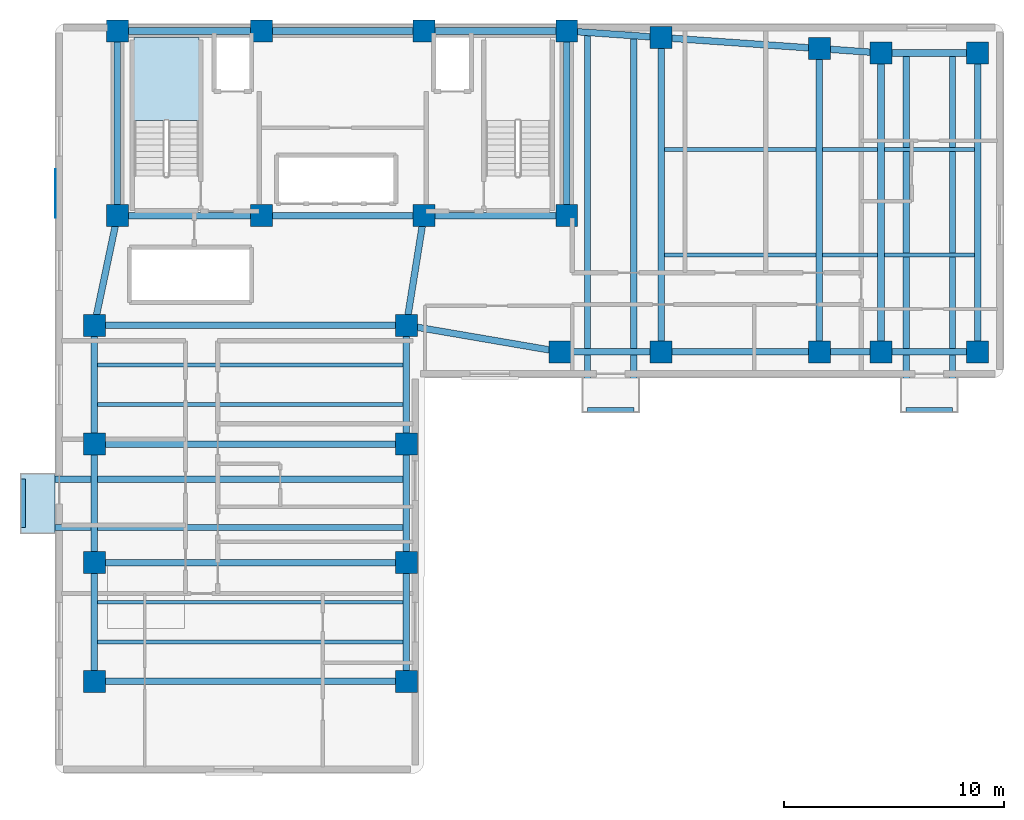
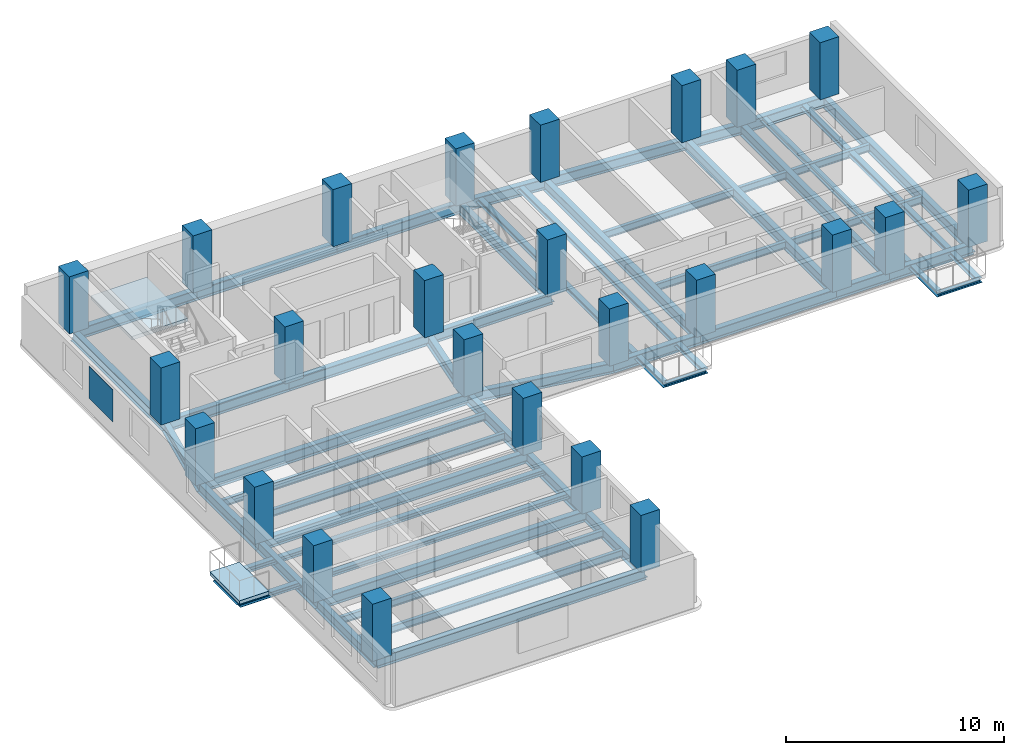
# One storey, part 1 of 7: 52 beams, 25 columns, 2 slabs, 1 plate, 1 element without a shape of its own.
"""IFC4 building model written with IfcOpenShell, lengths in metres."""

from ifc_helpers import new_model, si_unit, direction, frame, origin, origin_2d, place, context, subcontext, project, spatial, polyline, rectangle, i_section, outline, extrude, material, layer, layer_set, material_profile, profile_set, type_object, element, aggregate, save


model = new_model("IFC4")

# Units and contexts
model_context = context("Model", 3, precision=1e-05, world=origin(), true_north=direction((0.0, 1.0)))
body_context = subcontext(model_context, "Body", "Model", "MODEL_VIEW")
ifc_project = project(units=[si_unit("LENGTHUNIT", "METRE"), si_unit("AREAUNIT", "SQUARE_METRE"), si_unit("VOLUMEUNIT", "CUBIC_METRE"), si_unit("PLANEANGLEUNIT", "RADIAN"), si_unit("MASSUNIT", "GRAM", prefix="KILO")], contexts=[model_context])

# Site, building, storey
site_placement = place(None, origin())
site = spatial("IfcSite", under=ifc_project, at=site_placement, CompositionType="ELEMENT")
building_placement = place(site_placement, origin())
building = spatial("IfcBuilding", under=site, at=building_placement, Name="Kuzgunbayir Cultural Tower", CompositionType="ELEMENT")
storey_placement = place(building_placement, frame((0.0, 0.0, 117.0)))
storey = spatial("IfcBuildingStorey", under=building, at=storey_placement, Name="L33", CompositionType="ELEMENT", Elevation=117.0)

# Columns
ifc_material_1 = material(Name="Concrete C50/60", Category="concrete")
ifc_material_profile_1 = material_profile(ifc_material_1, rectangle(XDim=1.0, YDim=1.0, at=origin_2d()), Name="RC 1000x1000")
ifc_profile_set_1 = profile_set([ifc_material_profile_1], Name="Concrete C50/60")
column_type_1 = type_object("IfcColumnType", Name="COL-CORE-1000", PredefinedType="COLUMN", material=ifc_profile_set_1)
for number, where, z_axis, x_axis, name in (
    (1, (6.449951171875, 33.800048828125, 0.0), (0.0, 0.0, 1.0), (1.0, 0.0, 0.0), "L33 T1 Core Boundary Column CC1-1"),
    (2, (13.0, 33.800048828125, 0.0), (0.0, 0.0, 1.0), (1.0, 0.0, 0.0), "L33 T1 Core Boundary Column CC1-2"),
    (3, (20.39990234375, 33.800048828125, 0.0), (0.0, 0.0, 1.0), (1.0, 0.0, 0.0), "L33 T1 Core Boundary Column CC1-3"),
    (4, (26.89990234375, 33.800048828125, 0.0), (0.0, 0.0, 1.0), (1.0, 0.0, 0.0), "L33 T1 Core Boundary Column CC1-4"),
    (5, (6.449951171875, 42.199951171875, 0.0), (0.0, 0.0, 1.0), (1.0, 0.0, 0.0), "L33 T1 Core Boundary Column CC1-5"),
    (6, (13.0, 42.199951171875, 0.0), (0.0, 0.0, 1.0), (1.0, 0.0, 0.0), "L33 T1 Core Boundary Column CC1-6"),
    (7, (20.39990234375, 42.199951171875, 0.0), (0.0, 0.0, 1.0), (1.0, 0.0, 0.0), "L33 T1 Core Boundary Column CC1-7"),
    (8, (26.89990234375, 42.199951171875, 0.0), (0.0, 0.0, 1.0), (1.0, 0.0, 0.0), "L33 T1 Core Boundary Column CC1-8"),
):
    element("IfcColumn", number, at=place(storey_placement, frame(where, z_axis=z_axis, x_axis=x_axis)), inside=storey, type_object=column_type_1, Name=name, PredefinedType="COLUMN", context=body_context, shape_type="SweptSolid", body=[
        extrude(rectangle(XDim=1.0, YDim=1.0, at=origin_2d()), origin(), (0.0, 0.0, 1.0), 3.199951171875),
    ])
ifc_material_profile_2 = material_profile(ifc_material_1, rectangle(XDim=1.0, YDim=1.0, at=origin_2d()), Name="RC 1000x1000")
ifc_profile_set_2 = profile_set([ifc_material_profile_2], Name="Concrete C50/60")
column_type_2 = type_object("IfcColumnType", Name="COL-T1-1000", PredefinedType="COLUMN", material=ifc_profile_set_2)
for number, where, z_axis, x_axis, name in (
    (9, (5.39990234375, 12.60009765625, 0.0), (0.0, 0.0, 1.0), (1.0, 0.0, 0.0), "L33 Tower 1 Wing A Column T1A-W-1"),
    (10, (19.60009765625, 12.60009765625, 0.0), (0.0, 0.0, 1.0), (1.0, 0.0, 0.0), "L33 Tower 1 Wing A Column T1A-E-1"),
    (11, (5.39990234375, 18.0, 0.0), (0.0, 0.0, 1.0), (1.0, 0.0, 0.0), "L33 Tower 1 Wing A Column T1A-W-2"),
    (12, (19.60009765625, 18.0, 0.0), (0.0, 0.0, 1.0), (1.0, 0.0, 0.0), "L33 Tower 1 Wing A Column T1A-E-2"),
    (13, (5.39990234375, 23.39990234375, 0.0), (0.0, 0.0, 1.0), (1.0, 0.0, 0.0), "L33 Tower 1 Wing A Column T1A-W-3"),
    (14, (19.60009765625, 23.39990234375, 0.0), (0.0, 0.0, 1.0), (1.0, 0.0, 0.0), "L33 Tower 1 Wing A Column T1A-E-3"),
    (15, (5.39990234375, 28.800048828125, 0.0), (0.0, 0.0, 1.0), (1.0, 0.0, 0.0), "L33 Tower 1 Wing A Column T1A-W-4"),
    (16, (19.60009765625, 28.800048828125, 0.0), (0.0, 0.0, 1.0), (1.0, 0.0, 0.0), "L33 Tower 1 Wing A Column T1A-E-4"),
    (17, (26.60009765625, 27.60009765625, 0.0), (0.0, 0.0, 1.0), (1.0, 0.0, 0.0), "L33 Tower 1 Wing B Column T1B-1-1"),
    (18, (31.199951171875, 27.60009765625, 0.0), (0.0, 0.0, 1.0), (1.0, 0.0, 0.0), "L33 Tower 1 Wing B Column T1B-2-1"),
    (19, (31.199951171875, 41.89990234375, 0.0), (0.0, 0.0, 1.0), (1.0, 0.0, 0.0), "L33 Tower 1 Wing B Column T1B-2-2"),
    (20, (38.39990234375, 27.60009765625, 0.0), (0.0, 0.0, 1.0), (1.0, 0.0, 0.0), "L33 Tower 1 Wing B Column T1B-3-1"),
    (21, (38.39990234375, 41.39990234375, 0.0), (0.0, 0.0, 1.0), (1.0, 0.0, 0.0), "L33 Tower 1 Wing B Column T1B-3-2"),
    (22, (41.199951171875, 27.60009765625, 0.0), (0.0, 0.0, 1.0), (1.0, 0.0, 0.0), "L33 Tower 1 Wing B Column T1B-4-1"),
    (23, (41.199951171875, 41.199951171875, 0.0), (0.0, 0.0, 1.0), (1.0, 0.0, 0.0), "L33 Tower 1 Wing B Column T1B-4-2"),
    (24, (45.60009765625, 27.60009765625, 0.0), (0.0, 0.0, 1.0), (1.0, 0.0, 0.0), "L33 Tower 1 Wing B Column T1B-5-1"),
    (25, (45.60009765625, 41.199951171875, 0.0), (0.0, 0.0, 1.0), (1.0, 0.0, 0.0), "L33 Tower 1 Wing B Column T1B-5-2"),
):
    element("IfcColumn", number, at=place(storey_placement, frame(where, z_axis=z_axis, x_axis=x_axis)), inside=storey, type_object=column_type_2, Name=name, PredefinedType="COLUMN", context=body_context, shape_type="SweptSolid", body=[
        extrude(rectangle(XDim=1.0, YDim=1.0, at=origin_2d()), origin(), (0.0, 0.0, 1.0), 3.199951171875),
    ])

# Beams
ifc_material_2 = material(Name="Steel S355J2", Category="steel")
ifc_material_profile_3 = material_profile(ifc_material_2, i_section(OverallWidth=0.280029296875, OverallDepth=0.280029296875, WebThickness=0.010498046875, FlangeThickness=0.01806640625, FilletRadius=0.02392578125, at=origin_2d()), Name="HEB 280")
ifc_profile_set_3 = profile_set([ifc_material_profile_3], Name="Steel S355J2")
beam_type_1 = type_object("IfcBeamType", Name="BM-BAL-HEB280", PredefinedType="BEAM", material=ifc_profile_set_3)
for number, where, z_axis, x_axis, name in (
    (26, (2.159912109375, 19.60009765625, -0.340087890625), (1.0, 0.0, 0.0), (0.0, 1.0, 0.0), "L33 Balcony Outrigger Beam BAL-L33-WA2.1"),
    (27, (2.159912109375, 21.800048828125, -0.340087890625), (1.0, 0.0, 0.0), (0.0, 1.0, 0.0), "L33 Balcony Outrigger Beam BAL-L33-WA2.2"),
):
    element("IfcBeam", number, at=place(storey_placement, frame(where, z_axis=z_axis, x_axis=x_axis)), inside=storey, type_object=beam_type_1, Name=name, PredefinedType="BEAM", context=body_context, shape_type="SweptSolid", body=[
        extrude(i_section(OverallWidth=0.280029296875, OverallDepth=0.280029296875, WebThickness=0.010498046875, FlangeThickness=0.01806640625, FilletRadius=0.02392578125, at=origin_2d()), origin(), (0.0, 0.0, 1.0), 17.440185546875),
    ])
beam_1_placement = place(storey_placement, frame((27.85009765625, 24.9599609375, -0.340087890625), z_axis=(0.0, 1.0, 0.0), x_axis=(-1.0, 0.0, 0.0)))
element("IfcBeam", 28, at=beam_1_placement, inside=storey, type_object=beam_type_1, Name="L33 Balcony Outrigger Beam BAL-L33-WB1.1", PredefinedType="BEAM", context=body_context, shape_type="SweptSolid", body=[
    extrude(i_section(OverallWidth=0.280029296875, OverallDepth=0.280029296875, WebThickness=0.010498046875, FlangeThickness=0.01806640625, FilletRadius=0.02392578125, at=origin_2d()), origin(), (0.0, 0.0, 1.0), 17.169921875),
])
beam_2_placement = place(storey_placement, frame((29.949951171875, 24.9599609375, -0.340087890625), z_axis=(0.0, 1.0, 0.0), x_axis=(-1.0, 0.0, 0.0)))
element("IfcBeam", 29, at=beam_2_placement, inside=storey, type_object=beam_type_1, Name="L33 Balcony Outrigger Beam BAL-L33-WB1.2", PredefinedType="BEAM", context=body_context, shape_type="SweptSolid", body=[
    extrude(i_section(OverallWidth=0.280029296875, OverallDepth=0.280029296875, WebThickness=0.010498046875, FlangeThickness=0.01806640625, FilletRadius=0.02392578125, at=origin_2d()), origin(), (0.0, 0.0, 1.0), 17.030029296875),
])
for number, where, z_axis, x_axis, name in (
    (30, (42.35009765625, 24.9599609375, -0.340087890625), (0.0, 1.0, 0.0), (-1.0, 0.0, 0.0), "L33 Balcony Outrigger Beam BAL-L33-WB3.1"),
    (31, (44.449951171875, 24.9599609375, -0.340087890625), (0.0, 1.0, 0.0), (-1.0, 0.0, 0.0), "L33 Balcony Outrigger Beam BAL-L33-WB3.2"),
):
    element("IfcBeam", number, at=place(storey_placement, frame(where, z_axis=z_axis, x_axis=x_axis)), inside=storey, type_object=beam_type_1, Name=name, PredefinedType="BEAM", context=body_context, shape_type="SweptSolid", body=[
        extrude(i_section(OverallWidth=0.280029296875, OverallDepth=0.280029296875, WebThickness=0.010498046875, FlangeThickness=0.01806640625, FilletRadius=0.02392578125, at=origin_2d()), origin(), (0.0, 0.0, 1.0), 16.239990234375),
    ])
ifc_material_profile_4 = material_profile(ifc_material_2, i_section(OverallWidth=0.199951171875, OverallDepth=0.199951171875, WebThickness=0.009033203125, FlangeThickness=0.014892578125, FilletRadius=0.01806640625, at=origin_2d()), Name="HEB 200")
ifc_profile_set_4 = profile_set([ifc_material_profile_4], Name="Steel S355J2")
beam_type_2 = type_object("IfcBeamType", Name="BM-CAN-HEB200", PredefinedType="BEAM", material=ifc_profile_set_4)
beam_3_placement = place(storey_placement, frame((2.159912109375, 19.60009765625, -0.300048828125), z_axis=(0.0, 1.0, 0.0), x_axis=(-1.0, 0.0, 0.0)))
element("IfcBeam", 32, at=beam_3_placement, inside=storey, type_object=beam_type_2, Name="L33 Balcony Edge Header BAL-L33-WA2", PredefinedType="BEAM", context=body_context, shape_type="SweptSolid", body=[
    extrude(i_section(OverallWidth=0.199951171875, OverallDepth=0.199951171875, WebThickness=0.009033203125, FlangeThickness=0.014892578125, FilletRadius=0.01806640625, at=origin_2d()), origin(), (0.0, 0.0, 1.0), 2.199951171875),
])
for number, where, z_axis, x_axis, name in (
    (33, (27.85009765625, 24.9599609375, -0.300048828125), (1.0, 0.0, 0.0), (0.0, 1.0, 0.0), "L33 Balcony Edge Header BAL-L33-WB1"),
    (34, (42.35009765625, 24.9599609375, -0.300048828125), (1.0, 0.0, 0.0), (0.0, 1.0, 0.0), "L33 Balcony Edge Header BAL-L33-WB3"),
):
    element("IfcBeam", number, at=place(storey_placement, frame(where, z_axis=z_axis, x_axis=x_axis)), inside=storey, type_object=beam_type_2, Name=name, PredefinedType="BEAM", context=body_context, shape_type="SweptSolid", body=[
        extrude(i_section(OverallWidth=0.199951171875, OverallDepth=0.199951171875, WebThickness=0.009033203125, FlangeThickness=0.014892578125, FilletRadius=0.01806640625, at=origin_2d()), origin(), (0.0, 0.0, 1.0), 2.099853515625),
    ])
ifc_material_profile_5 = material_profile(ifc_material_2, i_section(OverallWidth=0.300048828125, OverallDepth=0.60009765625, WebThickness=0.015380859375, FlangeThickness=0.030029296875, FilletRadius=0.027099609375, at=origin_2d()), Name="HEB 600")
ifc_profile_set_5 = profile_set([ifc_material_profile_5], Name="Steel S355J2")
beam_type_3 = type_object("IfcBeamType", Name="BM-EXT-HEB600", PredefinedType="BEAM", material=ifc_profile_set_5)
for number, where, z_axis, x_axis, name in (
    (35, (5.39990234375, 12.60009765625, -0.47998046875), (0.0, 1.0, 0.0), (-1.0, 0.0, 0.0), "L33 Wing A West Girder 1"),
    (36, (19.60009765625, 12.60009765625, -0.47998046875), (0.0, 1.0, 0.0), (-1.0, 0.0, 0.0), "L33 Wing A East Girder 1"),
    (37, (5.39990234375, 18.0, -0.47998046875), (0.0, 1.0, 0.0), (-1.0, 0.0, 0.0), "L33 Wing A West Girder 2"),
    (38, (19.60009765625, 18.0, -0.47998046875), (0.0, 1.0, 0.0), (-1.0, 0.0, 0.0), "L33 Wing A East Girder 2"),
):
    element("IfcBeam", number, at=place(storey_placement, frame(where, z_axis=z_axis, x_axis=x_axis)), inside=storey, type_object=beam_type_3, Name=name, PredefinedType="BEAM", context=body_context, shape_type="SweptSolid", body=[
        extrude(i_section(OverallWidth=0.300048828125, OverallDepth=0.60009765625, WebThickness=0.015380859375, FlangeThickness=0.030029296875, FilletRadius=0.027099609375, at=origin_2d()), origin(), (0.0, 0.0, 1.0), 5.39990234375),
    ])
for number, where, z_axis, x_axis, name in (
    (39, (5.39990234375, 23.39990234375, -0.47998046875), (0.0, 1.0, 0.0), (-1.0, 0.0, 0.0), "L33 Wing A West Girder 3"),
    (40, (19.60009765625, 23.39990234375, -0.47998046875), (0.0, 1.0, 0.0), (-1.0, 0.0, 0.0), "L33 Wing A East Girder 3"),
):
    element("IfcBeam", number, at=place(storey_placement, frame(where, z_axis=z_axis, x_axis=x_axis)), inside=storey, type_object=beam_type_3, Name=name, PredefinedType="BEAM", context=body_context, shape_type="SweptSolid", body=[
        extrude(i_section(OverallWidth=0.300048828125, OverallDepth=0.60009765625, WebThickness=0.015380859375, FlangeThickness=0.030029296875, FilletRadius=0.027099609375, at=origin_2d()), origin(), (0.0, 0.0, 1.0), 5.400146484375),
    ])
beam_4_placement = place(storey_placement, frame((26.60009765625, 27.60009765625, -0.47998046875), z_axis=(1.0, 0.0, 0.0), x_axis=(0.0, 1.0, 0.0)))
element("IfcBeam", 41, at=beam_4_placement, inside=storey, type_object=beam_type_3, Name="L33 Wing B South Girder 1", PredefinedType="BEAM", context=body_context, shape_type="SweptSolid", body=[
    extrude(i_section(OverallWidth=0.300048828125, OverallDepth=0.60009765625, WebThickness=0.015380859375, FlangeThickness=0.030029296875, FilletRadius=0.027099609375, at=origin_2d()), origin(), (0.0, 0.0, 1.0), 4.599853515625),
])
beam_5_placement = place(storey_placement, frame((26.89990234375, 42.199951171875, -0.47998046875), z_axis=(0.997574369175, -0.069608749203, 0.0), x_axis=(0.069608749203, 0.997574369175, 0.0)))
element("IfcBeam", 42, at=beam_5_placement, inside=storey, type_object=beam_type_3, Name="L33 Wing B North Girder 1", PredefinedType="BEAM", context=body_context, shape_type="SweptSolid", body=[
    extrude(i_section(OverallWidth=0.300048828125, OverallDepth=0.60009765625, WebThickness=0.015380859375, FlangeThickness=0.030029296875, FilletRadius=0.027099609375, at=origin_2d()), origin(), (0.0, 0.0, 1.0), 4.310546875),
])
beam_6_placement = place(storey_placement, frame((31.199951171875, 27.60009765625, -0.47998046875), z_axis=(1.0, 0.0, 0.0), x_axis=(0.0, 1.0, 0.0)))
element("IfcBeam", 43, at=beam_6_placement, inside=storey, type_object=beam_type_3, Name="L33 Wing B South Girder 2", PredefinedType="BEAM", context=body_context, shape_type="SweptSolid", body=[
    extrude(i_section(OverallWidth=0.300048828125, OverallDepth=0.60009765625, WebThickness=0.015380859375, FlangeThickness=0.030029296875, FilletRadius=0.027099609375, at=origin_2d()), origin(), (0.0, 0.0, 1.0), 7.199951171875),
])
beam_7_placement = place(storey_placement, frame((31.199951171875, 41.89990234375, -0.47998046875), z_axis=(0.997597388498, -0.069278066245, 0.0), x_axis=(0.069278066245, 0.997597388498, 0.0)))
element("IfcBeam", 44, at=beam_7_placement, inside=storey, type_object=beam_type_3, Name="L33 Wing B North Girder 2", PredefinedType="BEAM", context=body_context, shape_type="SweptSolid", body=[
    extrude(i_section(OverallWidth=0.300048828125, OverallDepth=0.60009765625, WebThickness=0.015380859375, FlangeThickness=0.030029296875, FilletRadius=0.027099609375, at=origin_2d()), origin(), (0.0, 0.0, 1.0), 7.21728515625),
])
beam_8_placement = place(storey_placement, frame((38.39990234375, 27.60009765625, -0.47998046875), z_axis=(1.0, 0.0, 0.0), x_axis=(0.0, 1.0, 0.0)))
element("IfcBeam", 45, at=beam_8_placement, inside=storey, type_object=beam_type_3, Name="L33 Wing B South Girder 3", PredefinedType="BEAM", context=body_context, shape_type="SweptSolid", body=[
    extrude(i_section(OverallWidth=0.300048828125, OverallDepth=0.60009765625, WebThickness=0.015380859375, FlangeThickness=0.030029296875, FilletRadius=0.027099609375, at=origin_2d()), origin(), (0.0, 0.0, 1.0), 2.800048828125),
])
beam_9_placement = place(storey_placement, frame((38.39990234375, 41.39990234375, -0.47998046875), z_axis=(0.997460024076, -0.071228508128, 0.0), x_axis=(0.071228508128, 0.997460024076, 0.0)))
element("IfcBeam", 46, at=beam_9_placement, inside=storey, type_object=beam_type_3, Name="L33 Wing B North Girder 3", PredefinedType="BEAM", context=body_context, shape_type="SweptSolid", body=[
    extrude(i_section(OverallWidth=0.300048828125, OverallDepth=0.60009765625, WebThickness=0.015380859375, FlangeThickness=0.030029296875, FilletRadius=0.027099609375, at=origin_2d()), origin(), (0.0, 0.0, 1.0), 2.80712890625),
])
for number, where, z_axis, x_axis, name in (
    (47, (41.199951171875, 27.60009765625, -0.47998046875), (1.0, 0.0, 0.0), (0.0, 1.0, 0.0), "L33 Wing B South Girder 4"),
    (48, (41.199951171875, 41.199951171875, -0.47998046875), (1.0, 0.0, 0.0), (0.0, 1.0, 0.0), "L33 Wing B North Girder 4"),
):
    element("IfcBeam", number, at=place(storey_placement, frame(where, z_axis=z_axis, x_axis=x_axis)), inside=storey, type_object=beam_type_3, Name=name, PredefinedType="BEAM", context=body_context, shape_type="SweptSolid", body=[
        extrude(i_section(OverallWidth=0.300048828125, OverallDepth=0.60009765625, WebThickness=0.015380859375, FlangeThickness=0.030029296875, FilletRadius=0.027099609375, at=origin_2d()), origin(), (0.0, 0.0, 1.0), 4.400146484375),
    ])
ifc_material_profile_6 = material_profile(ifc_material_2, i_section(OverallWidth=0.300048828125, OverallDepth=0.60009765625, WebThickness=0.015380859375, FlangeThickness=0.030029296875, FilletRadius=0.027099609375, at=origin_2d()), Name="HEB 600")
ifc_profile_set_6 = profile_set([ifc_material_profile_6], Name="Steel S355J2")
beam_type_4 = type_object("IfcBeamType", Name="BM-GIR-HEB600", PredefinedType="BEAM", material=ifc_profile_set_6)
beam_10_placement = place(storey_placement, frame((6.449951171875, 33.800048828125, -0.47998046875), z_axis=(1.0, 0.0, 0.0), x_axis=(0.0, 1.0, 0.0)))
element("IfcBeam", 49, at=beam_10_placement, inside=storey, type_object=beam_type_4, Name="L33 Core South Girder 1", PredefinedType="BEAM", context=body_context, shape_type="SweptSolid", body=[
    extrude(i_section(OverallWidth=0.300048828125, OverallDepth=0.60009765625, WebThickness=0.015380859375, FlangeThickness=0.030029296875, FilletRadius=0.027099609375, at=origin_2d()), origin(), (0.0, 0.0, 1.0), 6.550048828125),
])
beam_11_placement = place(storey_placement, frame((13.0, 33.800048828125, -0.47998046875), z_axis=(1.0, 0.0, 0.0), x_axis=(0.0, 1.0, 0.0)))
element("IfcBeam", 50, at=beam_11_placement, inside=storey, type_object=beam_type_4, Name="L33 Core South Girder 2", PredefinedType="BEAM", context=body_context, shape_type="SweptSolid", body=[
    extrude(i_section(OverallWidth=0.300048828125, OverallDepth=0.60009765625, WebThickness=0.015380859375, FlangeThickness=0.030029296875, FilletRadius=0.027099609375, at=origin_2d()), origin(), (0.0, 0.0, 1.0), 7.39990234375),
])
beam_12_placement = place(storey_placement, frame((20.39990234375, 33.800048828125, -0.47998046875), z_axis=(1.0, 0.0, 0.0), x_axis=(0.0, 1.0, 0.0)))
element("IfcBeam", 51, at=beam_12_placement, inside=storey, type_object=beam_type_4, Name="L33 Core South Girder 3", PredefinedType="BEAM", context=body_context, shape_type="SweptSolid", body=[
    extrude(i_section(OverallWidth=0.300048828125, OverallDepth=0.60009765625, WebThickness=0.015380859375, FlangeThickness=0.030029296875, FilletRadius=0.027099609375, at=origin_2d()), origin(), (0.0, 0.0, 1.0), 6.5),
])
beam_13_placement = place(storey_placement, frame((6.449951171875, 42.199951171875, -0.47998046875), z_axis=(1.0, 0.0, 0.0), x_axis=(0.0, 1.0, 0.0)))
element("IfcBeam", 52, at=beam_13_placement, inside=storey, type_object=beam_type_4, Name="L33 Core North Girder 1", PredefinedType="BEAM", context=body_context, shape_type="SweptSolid", body=[
    extrude(i_section(OverallWidth=0.300048828125, OverallDepth=0.60009765625, WebThickness=0.015380859375, FlangeThickness=0.030029296875, FilletRadius=0.027099609375, at=origin_2d()), origin(), (0.0, 0.0, 1.0), 6.550048828125),
])
beam_14_placement = place(storey_placement, frame((13.0, 42.199951171875, -0.47998046875), z_axis=(1.0, 0.0, 0.0), x_axis=(0.0, 1.0, 0.0)))
element("IfcBeam", 53, at=beam_14_placement, inside=storey, type_object=beam_type_4, Name="L33 Core North Girder 2", PredefinedType="BEAM", context=body_context, shape_type="SweptSolid", body=[
    extrude(i_section(OverallWidth=0.300048828125, OverallDepth=0.60009765625, WebThickness=0.015380859375, FlangeThickness=0.030029296875, FilletRadius=0.027099609375, at=origin_2d()), origin(), (0.0, 0.0, 1.0), 7.39990234375),
])
beam_15_placement = place(storey_placement, frame((20.39990234375, 42.199951171875, -0.47998046875), z_axis=(1.0, 0.0, 0.0), x_axis=(0.0, 1.0, 0.0)))
element("IfcBeam", 54, at=beam_15_placement, inside=storey, type_object=beam_type_4, Name="L33 Core North Girder 3", PredefinedType="BEAM", context=body_context, shape_type="SweptSolid", body=[
    extrude(i_section(OverallWidth=0.300048828125, OverallDepth=0.60009765625, WebThickness=0.015380859375, FlangeThickness=0.030029296875, FilletRadius=0.027099609375, at=origin_2d()), origin(), (0.0, 0.0, 1.0), 6.5),
])
for number, where, z_axis, x_axis, name in (
    (55, (6.449951171875, 33.800048828125, -0.47998046875), (0.0, 1.0, 0.0), (-1.0, 0.0, 0.0), "L33 Core West Edge Girder"),
    (56, (26.89990234375, 33.800048828125, -0.47998046875), (0.0, 1.0, 0.0), (-1.0, 0.0, 0.0), "L33 Core East Edge Girder"),
):
    element("IfcBeam", number, at=place(storey_placement, frame(where, z_axis=z_axis, x_axis=x_axis)), inside=storey, type_object=beam_type_4, Name=name, PredefinedType="BEAM", context=body_context, shape_type="SweptSolid", body=[
        extrude(i_section(OverallWidth=0.300048828125, OverallDepth=0.60009765625, WebThickness=0.015380859375, FlangeThickness=0.030029296875, FilletRadius=0.027099609375, at=origin_2d()), origin(), (0.0, 0.0, 1.0), 8.39990234375),
    ])
for number, where, z_axis, x_axis, name in (
    (57, (5.39990234375, 12.60009765625, -0.47998046875), (1.0, 0.0, 0.0), (0.0, 1.0, 0.0), "L33 Wing A Transverse Girder 1"),
    (58, (5.39990234375, 18.0, -0.47998046875), (1.0, 0.0, 0.0), (0.0, 1.0, 0.0), "L33 Wing A Transverse Girder 2"),
    (59, (5.39990234375, 23.39990234375, -0.47998046875), (1.0, 0.0, 0.0), (0.0, 1.0, 0.0), "L33 Wing A Transverse Girder 3"),
    (60, (5.39990234375, 28.800048828125, -0.47998046875), (1.0, 0.0, 0.0), (0.0, 1.0, 0.0), "L33 Wing A Transverse Girder 4"),
):
    element("IfcBeam", number, at=place(storey_placement, frame(where, z_axis=z_axis, x_axis=x_axis)), inside=storey, type_object=beam_type_4, Name=name, PredefinedType="BEAM", context=body_context, shape_type="SweptSolid", body=[
        extrude(i_section(OverallWidth=0.300048828125, OverallDepth=0.60009765625, WebThickness=0.015380859375, FlangeThickness=0.030029296875, FilletRadius=0.027099609375, at=origin_2d()), origin(), (0.0, 0.0, 1.0), 14.2001953125),
    ])
beam_16_placement = place(storey_placement, frame((5.39990234375, 28.800048828125, -0.47998046875), z_axis=(0.205526387753, 0.978651574329, 0.0), x_axis=(-0.978651574329, 0.205526387753, 0.0)))
element("IfcBeam", 61, at=beam_16_placement, inside=storey, type_object=beam_type_4, Name="L33 Wing A West Core Floor Girder", PredefinedType="BEAM", context=body_context, shape_type="SweptSolid", body=[
    extrude(i_section(OverallWidth=0.300048828125, OverallDepth=0.60009765625, WebThickness=0.015380859375, FlangeThickness=0.030029296875, FilletRadius=0.027099609375, at=origin_2d()), origin(), (0.0, 0.0, 1.0), 5.109130859375),
])
beam_17_placement = place(storey_placement, frame((19.60009765625, 28.800048828125, -0.47998046875), z_axis=(0.157952891656, 0.987446648694, 0.0), x_axis=(-0.987446648694, 0.157952891656, 0.0)))
element("IfcBeam", 62, at=beam_17_placement, inside=storey, type_object=beam_type_4, Name="L33 Wing A East Core Floor Girder", PredefinedType="BEAM", context=body_context, shape_type="SweptSolid", body=[
    extrude(i_section(OverallWidth=0.300048828125, OverallDepth=0.60009765625, WebThickness=0.015380859375, FlangeThickness=0.030029296875, FilletRadius=0.027099609375, at=origin_2d()), origin(), (0.0, 0.0, 1.0), 5.0634765625),
])
beam_18_placement = place(storey_placement, frame((31.199951171875, 27.60009765625, -0.47998046875), z_axis=(0.0, 1.0, 0.0), x_axis=(-1.0, 0.0, 0.0)))
element("IfcBeam", 63, at=beam_18_placement, inside=storey, type_object=beam_type_4, Name="L33 Wing B Cross Girder 31", PredefinedType="BEAM", context=body_context, shape_type="SweptSolid", body=[
    extrude(i_section(OverallWidth=0.300048828125, OverallDepth=0.60009765625, WebThickness=0.015380859375, FlangeThickness=0.030029296875, FilletRadius=0.027099609375, at=origin_2d()), origin(), (0.0, 0.0, 1.0), 14.2998046875),
])
beam_19_placement = place(storey_placement, frame((38.39990234375, 27.60009765625, -0.47998046875), z_axis=(0.0, 1.0, 0.0), x_axis=(-1.0, 0.0, 0.0)))
element("IfcBeam", 64, at=beam_19_placement, inside=storey, type_object=beam_type_4, Name="L33 Wing B Cross Girder 38", PredefinedType="BEAM", context=body_context, shape_type="SweptSolid", body=[
    extrude(i_section(OverallWidth=0.300048828125, OverallDepth=0.60009765625, WebThickness=0.015380859375, FlangeThickness=0.030029296875, FilletRadius=0.027099609375, at=origin_2d()), origin(), (0.0, 0.0, 1.0), 13.7998046875),
])
for number, where, z_axis, x_axis, name in (
    (65, (41.199951171875, 27.60009765625, -0.47998046875), (0.0, 1.0, 0.0), (-1.0, 0.0, 0.0), "L33 Wing B Cross Girder 41"),
    (66, (45.60009765625, 27.60009765625, -0.47998046875), (0.0, 1.0, 0.0), (-1.0, 0.0, 0.0), "L33 Wing B Cross Girder 45"),
):
    element("IfcBeam", number, at=place(storey_placement, frame(where, z_axis=z_axis, x_axis=x_axis)), inside=storey, type_object=beam_type_4, Name=name, PredefinedType="BEAM", context=body_context, shape_type="SweptSolid", body=[
        extrude(i_section(OverallWidth=0.300048828125, OverallDepth=0.60009765625, WebThickness=0.015380859375, FlangeThickness=0.030029296875, FilletRadius=0.027099609375, at=origin_2d()), origin(), (0.0, 0.0, 1.0), 13.599853515625),
    ])
beam_20_placement = place(storey_placement, frame((19.60009765625, 28.800048828125, -0.47998046875), z_axis=(0.985623399742, -0.168957136221, 0.0), x_axis=(0.168957136221, 0.985623399742, 0.0)))
element("IfcBeam", 67, at=beam_20_placement, inside=storey, type_object=beam_type_4, Name="L33 Wing B Waist Tie Girder", PredefinedType="BEAM", context=body_context, shape_type="SweptSolid", body=[
    extrude(i_section(OverallWidth=0.300048828125, OverallDepth=0.60009765625, WebThickness=0.015380859375, FlangeThickness=0.030029296875, FilletRadius=0.027099609375, at=origin_2d()), origin(), (0.0, 0.0, 1.0), 7.10205078125),
])
ifc_material_profile_7 = material_profile(ifc_material_2, i_section(OverallWidth=0.179931640625, OverallDepth=0.39990234375, WebThickness=0.008544921875, FlangeThickness=0.013427734375, FilletRadius=0.02099609375, at=origin_2d()), Name="IPE 400")
ifc_profile_set_7 = profile_set([ifc_material_profile_7], Name="Steel S355J2")
beam_type_5 = type_object("IfcBeamType", Name="BM-JST-IPE400", PredefinedType="JOIST", material=ifc_profile_set_7)
for number, where, z_axis, x_axis, name in (
    (68, (5.550048828125, 14.39990234375, -0.3798828125), (1.0, 0.0, 0.0), (0.0, 1.0, 0.0), "L33 Wing A Secondary Joist 1"),
    (69, (5.550048828125, 16.199951171875, -0.3798828125), (1.0, 0.0, 0.0), (0.0, 1.0, 0.0), "L33 Wing A Secondary Joist 2"),
    (70, (5.550048828125, 25.199951171875, -0.3798828125), (1.0, 0.0, 0.0), (0.0, 1.0, 0.0), "L33 Wing A Secondary Joist 5"),
    (71, (5.550048828125, 27.0, -0.3798828125), (1.0, 0.0, 0.0), (0.0, 1.0, 0.0), "L33 Wing A Secondary Joist 6"),
):
    element("IfcBeam", number, at=place(storey_placement, frame(where, z_axis=z_axis, x_axis=x_axis)), inside=storey, type_object=beam_type_5, Name=name, PredefinedType="JOIST", context=body_context, shape_type="SweptSolid", body=[
        extrude(i_section(OverallWidth=0.179931640625, OverallDepth=0.39990234375, WebThickness=0.008544921875, FlangeThickness=0.013427734375, FilletRadius=0.02099609375, at=origin_2d()), origin(), (0.0, 0.0, 1.0), 13.89990234375),
    ])
for number, where, z_axis, x_axis, name in (
    (72, (31.35009765625, 32.0, -0.3798828125), (1.0, 0.0, 0.0), (0.0, 1.0, 0.0), "L33 Wing B Secondary Joist 1.1"),
    (73, (31.35009765625, 36.800048828125, -0.3798828125), (1.0, 0.0, 0.0), (0.0, 1.0, 0.0), "L33 Wing B Secondary Joist 1.2"),
):
    element("IfcBeam", number, at=place(storey_placement, frame(where, z_axis=z_axis, x_axis=x_axis)), inside=storey, type_object=beam_type_5, Name=name, PredefinedType="JOIST", context=body_context, shape_type="SweptSolid", body=[
        extrude(i_section(OverallWidth=0.179931640625, OverallDepth=0.39990234375, WebThickness=0.008544921875, FlangeThickness=0.013427734375, FilletRadius=0.02099609375, at=origin_2d()), origin(), (0.0, 0.0, 1.0), 6.89990234375),
    ])
for number, where, z_axis, x_axis, name in (
    (74, (38.550048828125, 32.0, -0.3798828125), (1.0, 0.0, 0.0), (0.0, 1.0, 0.0), "L33 Wing B Secondary Joist 2.1"),
    (75, (38.550048828125, 36.800048828125, -0.3798828125), (1.0, 0.0, 0.0), (0.0, 1.0, 0.0), "L33 Wing B Secondary Joist 2.2"),
):
    element("IfcBeam", number, at=place(storey_placement, frame(where, z_axis=z_axis, x_axis=x_axis)), inside=storey, type_object=beam_type_5, Name=name, PredefinedType="JOIST", context=body_context, shape_type="SweptSolid", body=[
        extrude(i_section(OverallWidth=0.179931640625, OverallDepth=0.39990234375, WebThickness=0.008544921875, FlangeThickness=0.013427734375, FilletRadius=0.02099609375, at=origin_2d()), origin(), (0.0, 0.0, 1.0), 2.5),
    ])
for number, where, z_axis, x_axis, name in (
    (76, (41.35009765625, 32.0, -0.3798828125), (1.0, 0.0, 0.0), (0.0, 1.0, 0.0), "L33 Wing B Secondary Joist 3.1"),
    (77, (41.35009765625, 36.800048828125, -0.3798828125), (1.0, 0.0, 0.0), (0.0, 1.0, 0.0), "L33 Wing B Secondary Joist 3.2"),
):
    element("IfcBeam", number, at=place(storey_placement, frame(where, z_axis=z_axis, x_axis=x_axis)), inside=storey, type_object=beam_type_5, Name=name, PredefinedType="JOIST", context=body_context, shape_type="SweptSolid", body=[
        extrude(i_section(OverallWidth=0.179931640625, OverallDepth=0.39990234375, WebThickness=0.008544921875, FlangeThickness=0.013427734375, FilletRadius=0.02099609375, at=origin_2d()), origin(), (0.0, 0.0, 1.0), 4.099853515625),
    ])

# Plate
ifc_material_3 = material(Name="Perforated Bronze-Anodised Aluminium", Category="aluminium")
ifc_layer_1 = layer(ifc_material_3, 0.02392578125)
ifc_layer_set_1 = layer_set([ifc_layer_1], Name="Perforated Bronze-Anodised Aluminium")
plate_type = type_object("IfcPlateType", Name="PLT-SOLAR-SCREEN-14", PredefinedType="SHEET", material=ifc_layer_set_1)
plate_placement = place(storey_placement, frame((3.639892578125, 34.800048828125, 0.75), z_axis=(0.0, 0.0, 1.0), x_axis=(1.0, 0.0, 0.0)))
element("IfcPlate", 78, at=plate_placement, inside=storey, type_object=plate_type, Name="L33 Tower 1 Perforated Ceramic Solar Screen Panel", PredefinedType="SHEET", context=body_context, shape_type="SweptSolid", body=[
    extrude(rectangle(XDim=0.02392578125, YDim=2.199951171875, at=origin_2d()), origin(), (0.0, 0.0, 1.0), 1.800048828125),
])

# Slab
ifc_material_4 = material(Name="Concrete C40/50", Category="concrete")
ifc_layer_2 = layer(ifc_material_4, 0.199951171875)
ifc_layer_set_2 = layer_set([ifc_layer_2], Name="Concrete C40/50")
slab_type_1 = type_object("IfcSlabType", Name="SLB-BAL-STONE", PredefinedType="FLOOR", material=ifc_layer_set_2)
slab_1_placement = place(storey_placement, frame((0.0, 0.0, -0.199951171875)))
element("IfcSlab", 79, at=slab_1_placement, inside=storey, type_object=slab_type_1, Name="L33 Projecting Limestone Balcony BAL-L33-WA2", PredefinedType="FLOOR", context=body_context, shape_type="SweptSolid", body=[
    extrude(outline(polyline([(2.0400390625, 19.35009765625), (3.60009765625, 19.35009765625), (3.60009765625, 22.050048828125), (2.0400390625, 22.050048828125), (2.0400390625, 19.35009765625)])), origin(), (0.0, 0.0, 1.0), 0.199951171875),
])

# Stair, slab
stair_type = type_object("IfcStairType", Name="STR-EXIT-CORE", PredefinedType="HALF_TURN_STAIR", material=ifc_material_4)
stair_placement = place(storey_placement, origin())
stair = element("IfcStair", 80, at=stair_placement, inside=storey, type_object=stair_type, Name="L33 ST-1", PredefinedType="HALF_TURN_STAIR")
ifc_layer_3 = layer(ifc_material_4, 0.179931640625)
ifc_layer_set_3 = layer_set([ifc_layer_3], Name="Concrete C40/50")
slab_type_2 = type_object("IfcSlabType", Name="SLB-LANDING-180", PredefinedType="LANDING", material=ifc_layer_set_3)
slab_2_placement = place(storey_placement, frame((0.0, 0.0, 1.39990234375)))
slab_2 = element("IfcSlab", 81, at=slab_2_placement, type_object=slab_type_2, Name="ST-1 landing 1", PredefinedType="LANDING", context=body_context, shape_type="SweptSolid", body=[
    extrude(outline(polyline([(10.159912109375, 38.1201171875), (10.159912109375, 41.89990234375), (7.199951171875, 41.89990234375), (7.199951171875, 38.1201171875), (10.159912109375, 38.1201171875)])), origin(), (0.0, 0.0, 1.0), 0.2001953125),
])
aggregate(stair, [slab_2])

save(model, "model.ifc")
